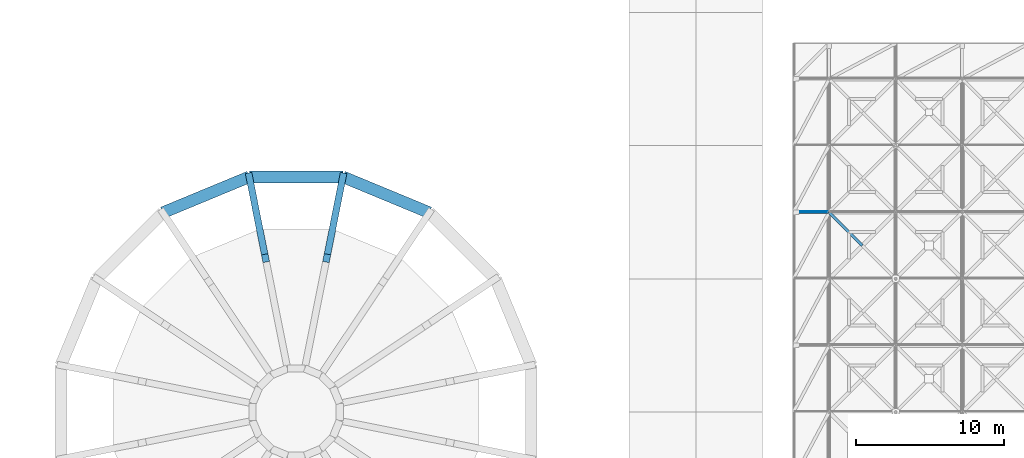
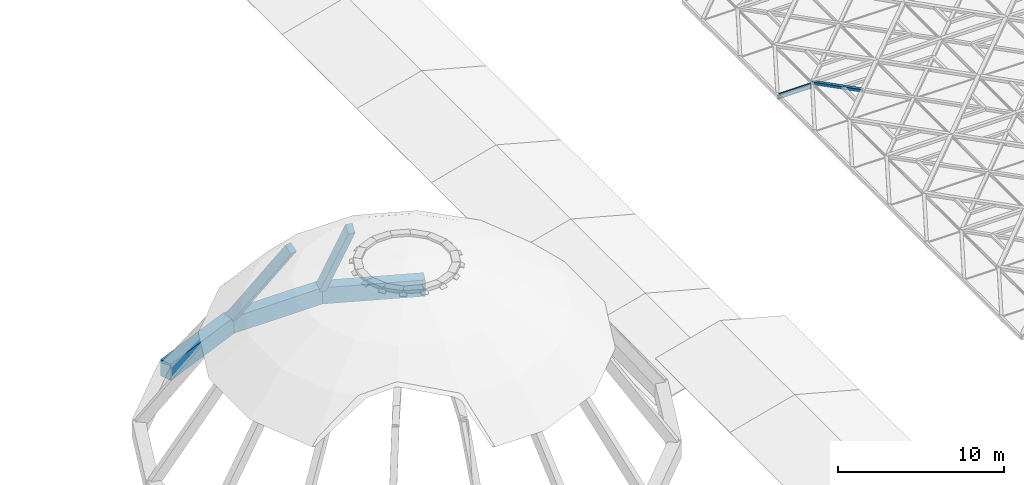
# One storey, part 15 of 80: 4 beams, 4 members, 1 element without a shape of its own.
"""IFC4 building model written with IfcOpenShell, lengths in metres."""

from ifc_helpers import new_model, si_unit, direction, frame, origin, origin_2d, place, context, subcontext, project, spatial, rectangle, hollow_rectangle, i_section, extrude, material, material_profile, profile_set, type_object, element, aggregate, save


model = new_model("IFC4")

# Units and contexts
model_context = context("Model", 3, precision=1e-05, world=origin(), true_north=direction((0.0, 1.0)))
body_context = subcontext(model_context, "Body", "Model", "MODEL_VIEW")
ifc_project = project(units=[si_unit("LENGTHUNIT", "METRE"), si_unit("AREAUNIT", "SQUARE_METRE"), si_unit("VOLUMEUNIT", "CUBIC_METRE"), si_unit("PLANEANGLEUNIT", "RADIAN"), si_unit("MASSUNIT", "GRAM", prefix="KILO"), si_unit("THERMODYNAMICTEMPERATUREUNIT", "KELVIN"), si_unit("POWERUNIT", "WATT")], contexts=[model_context])

# Site, building, storey
site_placement = place(None, origin())
site = spatial("IfcSite", under=ifc_project, at=site_placement, CompositionType="ELEMENT")
building_placement = place(site_placement, origin())
building = spatial("IfcBuilding", under=site, at=building_placement, Name="Tallowbark Science Centre", CompositionType="ELEMENT")
storey_placement = place(building_placement, frame((0.0, 0.0, 25.949951171875)))
storey = spatial("IfcBuildingStorey", under=building, at=storey_placement, Name="ROOF", CompositionType="ELEMENT", Elevation=25.949951171875)

# Beams
ifc_material_1 = material(Name="White Architectural Painted Steel Grade C350L0 (350 MPa)", Category="steel")
ifc_material_profile_1 = material_profile(ifc_material_1, i_section(OverallWidth=0.146484375, OverallDepth=0.256103515625, WebThickness=0.00634765625, FlangeThickness=0.010986328125, FilletRadius=0.0087890625, at=origin_2d()), Name="250UB37.3")
ifc_profile_set_1 = profile_set([ifc_material_profile_1], Name="White Architectural Painted Steel Grade C350L0 (350 MPa)")
beam_type_1 = type_object("IfcBeamType", Name="BM-OUT250", PredefinedType="BEAM", material=ifc_profile_set_1)
beam_1_placement = place(storey_placement, frame((58.5, 31.5, 0.199951171875), z_axis=(-1.0, 0.0, 0.0), x_axis=(0.0, -1.0, 0.0)))
element("IfcBeam", 1, at=beam_1_placement, inside=storey, type_object=beam_type_1, Name="Star Screen Outrigger Tie Beam W-119", PredefinedType="BEAM", context=body_context, shape_type="SweptSolid", body=[
    extrude(i_section(OverallWidth=0.146484375, OverallDepth=0.256103515625, WebThickness=0.00634765625, FlangeThickness=0.010986328125, FilletRadius=0.0087890625, at=origin_2d()), origin(), (0.0, 0.0, 1.0), 2.39990234375),
])
ifc_material_2 = material(Name="Concrete Grade N50 (50 MPa)", Category="concrete")
ifc_material_profile_2 = material_profile(ifc_material_2, rectangle(XDim=0.800048828125, YDim=1.199951171875, at=origin_2d()), Name="RC800x1200")
ifc_profile_set_2 = profile_set([ifc_material_profile_2], Name="Concrete Grade N50 (50 MPa)")
beam_type_2 = type_object("IfcBeamType", Name="BM-RING-N50", PredefinedType="SPANDREL", material=ifc_profile_set_2)
beam_2_placement = place(storey_placement, frame((31.500244140625, 31.4697265625, -4.949951171875), z_axis=(-0.92387937427, 0.382683814393, 0.0), x_axis=(-0.382683814393, -0.92387937427, 0.0)))
element("IfcBeam", 2, at=beam_2_placement, inside=storey, type_object=beam_type_2, Name="Planetarium Ring Beam ROOF-3", PredefinedType="SPANDREL", context=body_context, shape_type="SweptSolid", body=[
    extrude(rectangle(XDim=0.800048828125, YDim=1.199951171875, at=origin_2d()), origin(), (0.0, 0.0, 1.0), 6.321044921875),
])
beam_3_placement = place(storey_placement, frame((25.660400390625, 33.888671875, -4.949951171875), z_axis=(-1.0, 0.0, 0.0), x_axis=(0.0, -1.0, 0.0)))
element("IfcBeam", 3, at=beam_3_placement, inside=storey, type_object=beam_type_2, Name="Planetarium Ring Beam ROOF-4", PredefinedType="SPANDREL", context=body_context, shape_type="SweptSolid", body=[
    extrude(rectangle(XDim=0.800048828125, YDim=1.199951171875, at=origin_2d()), origin(), (0.0, 0.0, 1.0), 6.32080078125),
])
beam_4_placement = place(storey_placement, frame((19.339599609375, 33.888671875, -4.949951171875), z_axis=(-0.92387937427, -0.382683814393, 0.0), x_axis=(0.382683814393, -0.92387937427, 0.0)))
element("IfcBeam", 4, at=beam_4_placement, inside=storey, type_object=beam_type_2, Name="Planetarium Ring Beam ROOF-5", PredefinedType="SPANDREL", context=body_context, shape_type="SweptSolid", body=[
    extrude(rectangle(XDim=0.800048828125, YDim=1.199951171875, at=origin_2d()), origin(), (0.0, 0.0, 1.0), 6.321044921875),
])

# Curtain wall, member
ifc_material_3 = material(Name="Blue-Tinted Laminated Low-E Skylight Glass", Category="glass")
curtain_wall_type = type_object("IfcCurtainWallType", Name="CW-SKY-ROOF", PredefinedType="NOTDEFINED", material=ifc_material_3)
curtain_wall_placement = place(storey_placement, origin())
curtain_wall = element("IfcCurtainWall", 5, at=curtain_wall_placement, inside=storey, type_object=curtain_wall_type, Name="Exhibition Star-Screen Skylight Bay 1", PredefinedType="NOTDEFINED")
ifc_material_4 = material(Name="Anodised Architectural Aluminium Alloy 6063-T6", Category="aluminium")
ifc_material_profile_3 = material_profile(ifc_material_4, rectangle(XDim=0.054931640625, YDim=0.1201171875, at=origin_2d()), Name="ALU55x120")
ifc_profile_set_3 = profile_set([ifc_material_profile_3], Name="Anodised Architectural Aluminium Alloy 6063-T6")
member_type_1 = type_object("IfcMemberType", Name="CWM-SKY-TRN", PredefinedType="USERDEFINED", material=ifc_profile_set_3)
member_1_placement = place(storey_placement, frame((56.179931640625, 31.5400390625, 0.35205078125), z_axis=(1.0, 0.0, 0.0), x_axis=(0.0, 1.0, 0.0)))
member_1 = element("IfcMember", 6, at=member_1_placement, type_object=member_type_1, Name="Skylight Bay 1 Transom 8", ObjectType="TRANSOM", PredefinedType="USERDEFINED", context=body_context, shape_type="SweptSolid", body=[
    extrude(rectangle(XDim=0.054931640625, YDim=0.1201171875, at=origin_2d()), origin(), (0.0, 0.0, 1.0), 2.239990234375),
])
aggregate(curtain_wall, [member_1])

# Members
ifc_material_profile_4 = material_profile(ifc_material_2, rectangle(XDim=0.449951171875, YDim=0.64990234375, at=origin_2d()), Name="RC450x650")
ifc_profile_set_4 = profile_set([ifc_material_profile_4], Name="Concrete Grade N50 (50 MPa)")
member_type_2 = type_object("IfcMemberType", Name="DOM-RIB-N50", PredefinedType="USERDEFINED", material=ifc_profile_set_4)
for number, where, z_axis, x_axis, name in (
    (7, (25.660400390625, 33.888671875, -4.64990234375), (-0.110947815301, -0.557763799066, 0.822550987314), (0.980784709228, -0.195093193483, 0.0), "Planetarium Concrete Arch Rib Lower 4"),
    (8, (19.339599609375, 33.888671875, -4.64990234375), (0.110947815301, -0.557763799066, 0.822550987314), (0.980784709228, 0.195093193483, 0.0), "Planetarium Concrete Arch Rib Lower 5"),
):
    element("IfcMember", number, at=place(storey_placement, frame(where, z_axis=z_axis, x_axis=x_axis)), inside=storey, type_object=member_type_2, Name=name, ObjectType="ARCH RIB", PredefinedType="USERDEFINED", context=body_context, shape_type="SweptSolid", body=[
        extrude(rectangle(XDim=0.449951171875, YDim=0.64990234375, at=origin_2d()), origin(), (0.0, 0.0, 1.0), 9.84716796875),
    ])
ifc_material_profile_5 = material_profile(ifc_material_1, hollow_rectangle(XDim=0.199951171875, YDim=0.199951171875, WallThickness=0.009033203125, at=origin_2d()), Name="200x200x9.0SHS")
ifc_profile_set_5 = profile_set([ifc_material_profile_5], Name="White Architectural Painted Steel Grade C350L0 (350 MPa)")
member_type_3 = type_object("IfcMemberType", Name="SCR-STAR139", PredefinedType="BRACE", material=ifc_profile_set_5)
member_2_placement = place(storey_placement, frame((58.5, 31.5, 0.449951171875), z_axis=(0.707106781187, -0.707106781187, 0.0), x_axis=(0.707106781187, 0.707106781187, 0.0)))
element("IfcMember", 9, at=member_2_placement, inside=storey, type_object=member_type_3, Name="Star Screen Split X-Diagonal D2A TOP-56", PredefinedType="BRACE", context=body_context, shape_type="SweptSolid", body=[
    extrude(hollow_rectangle(XDim=0.199951171875, YDim=0.199951171875, WallThickness=0.009033203125, at=origin_2d()), origin(), (0.0, 0.0, 1.0), 3.181884765625),
])

save(model, "model.ifc")
